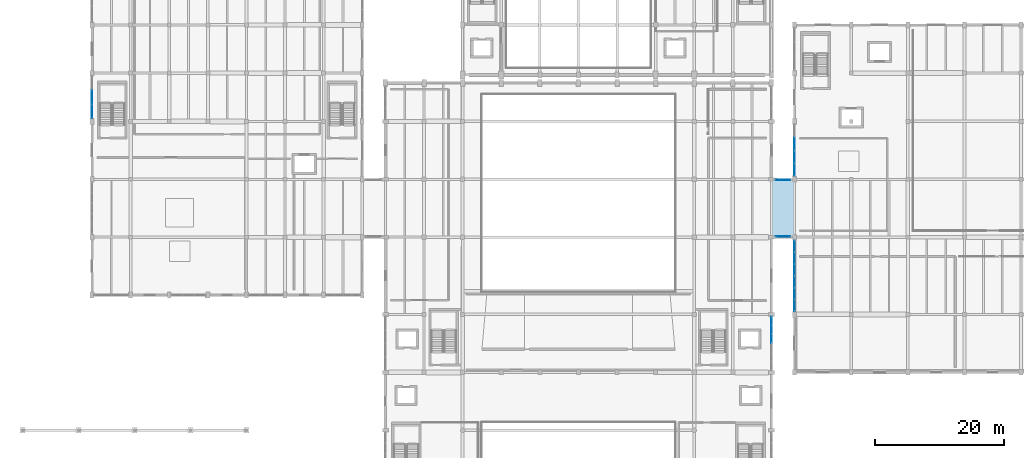
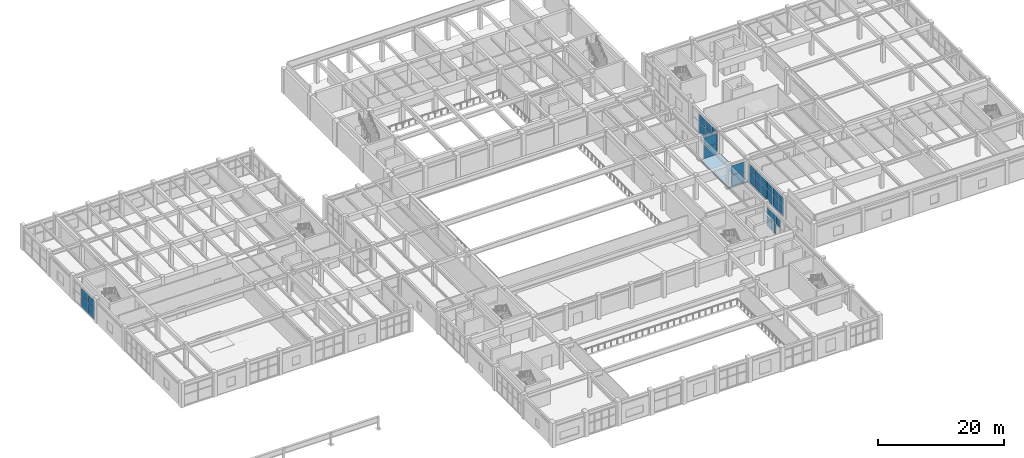
# One storey, part 56 of 85: 31 plates, 1 slab, 6 elements without a shape of their own.
"""IFC4 building model written with IfcOpenShell, lengths in metres."""

from ifc_helpers import new_model, si_unit, direction, frame, origin, origin_2d, place, context, subcontext, project, spatial, polyline, rectangle, outline, extrude, material, layer, layer_set, type_object, element, aggregate, save


model = new_model("IFC4")

# Units and contexts
model_context = context("Model", 3, precision=1e-05, world=origin(), true_north=direction((0.0, 1.0)))
body_context = subcontext(model_context, "Body", "Model", "MODEL_VIEW")
ifc_project = project(units=[si_unit("LENGTHUNIT", "METRE"), si_unit("AREAUNIT", "SQUARE_METRE"), si_unit("VOLUMEUNIT", "CUBIC_METRE"), si_unit("PLANEANGLEUNIT", "RADIAN"), si_unit("MASSUNIT", "GRAM", prefix="KILO")], contexts=[model_context])

# Site, building, storey
site_placement = place(None, origin())
site = spatial("IfcSite", under=ifc_project, at=site_placement, CompositionType="ELEMENT")
building_placement = place(site_placement, origin())
building = spatial("IfcBuilding", under=site, at=building_placement, Name="Vaelkrest Opera House", CompositionType="ELEMENT")
storey_placement = place(building_placement, frame((0.0, 0.0, 10.199951171875)))
storey = spatial("IfcBuildingStorey", under=building, at=storey_placement, Name="L02", CompositionType="ELEMENT", Elevation=10.199951171875)

# Curtain wall, plates
ifc_material_1 = material(Name="Dark bronze anodized aluminium", Category="aluminium")
ifc_layer_1 = layer(ifc_material_1, 0.179931640625)
ifc_layer_set_1 = layer_set([ifc_layer_1], Name="Dark bronze anodized aluminium")
curtain_wall_type_1 = type_object("IfcCurtainWallType", Name="CW01", PredefinedType="NOTDEFINED", material=ifc_layer_set_1)
curtain_wall_1_placement = place(storey_placement, origin())
curtain_wall_1 = element("IfcCurtainWall", 1, at=curtain_wall_1_placement, inside=storey, type_object=curtain_wall_type_1, Name="Curtain wall CW-L02-040", PredefinedType="NOTDEFINED")
ifc_material_2 = material(Name="Double low-E insulated glazing", Category="glass")
ifc_layer_2 = layer(ifc_material_2, 0.02587890625)
ifc_layer_set_2 = layer_set([ifc_layer_2], Name="Double low-E insulated glazing")
plate_type_1 = type_object("IfcPlateType", Name="CWP01", PredefinedType="CURTAIN_PANEL", material=ifc_layer_set_2)
plate_1_placement = place(storey_placement, frame((30.0, -20.814697265625, 0.06494140625), z_axis=(0.0, 0.0, 1.0), x_axis=(0.0, -1.0, 0.0)))
plate_1 = element("IfcPlate", 2, at=plate_1_placement, type_object=plate_type_1, Name="CW01 panel 1.1", PredefinedType="CURTAIN_PANEL", context=body_context, shape_type="SweptSolid", body=[
    extrude(rectangle(XDim=1.30322265625, YDim=0.02587890625, at=origin_2d()), origin(), (0.0, 0.0, 1.0), 2.052490234375),
])
plate_2_placement = place(storey_placement, frame((30.0, -20.814697265625, 2.1826171875), z_axis=(0.0, 0.0, 1.0), x_axis=(0.0, -1.0, 0.0)))
plate_2 = element("IfcPlate", 3, at=plate_2_placement, type_object=plate_type_1, Name="CW01 panel 1.2", PredefinedType="CURTAIN_PANEL", context=body_context, shape_type="SweptSolid", body=[
    extrude(rectangle(XDim=1.30322265625, YDim=0.02587890625, at=origin_2d()), origin(), (0.0, 0.0, 1.0), 1.58154296875),
])
plate_3_placement = place(storey_placement, frame((30.0, -22.198974609375, 0.06494140625), z_axis=(0.0, 0.0, 1.0), x_axis=(0.0, -1.0, 0.0)))
plate_3 = element("IfcPlate", 4, at=plate_3_placement, type_object=plate_type_1, Name="CW01 panel 2.1", PredefinedType="CURTAIN_PANEL", context=body_context, shape_type="SweptSolid", body=[
    extrude(rectangle(XDim=1.335693359375, YDim=0.02587890625, at=origin_2d()), origin(), (0.0, 0.0, 1.0), 2.052490234375),
])
plate_4_placement = place(storey_placement, frame((30.0, -22.198974609375, 2.1826171875), z_axis=(0.0, 0.0, 1.0), x_axis=(0.0, -1.0, 0.0)))
plate_4 = element("IfcPlate", 5, at=plate_4_placement, type_object=plate_type_1, Name="CW01 panel 2.2", PredefinedType="CURTAIN_PANEL", context=body_context, shape_type="SweptSolid", body=[
    extrude(rectangle(XDim=1.335693359375, YDim=0.02587890625, at=origin_2d()), origin(), (0.0, 0.0, 1.0), 1.58154296875),
])
plate_5_placement = place(storey_placement, frame((30.0, -23.599609375, 2.1826171875), z_axis=(0.0, 0.0, 1.0), x_axis=(0.0, -1.0, 0.0)))
plate_5 = element("IfcPlate", 6, at=plate_5_placement, type_object=plate_type_1, Name="CW01 panel 3.2", PredefinedType="CURTAIN_PANEL", context=body_context, shape_type="SweptSolid", body=[
    extrude(rectangle(XDim=1.335693359375, YDim=0.02587890625, at=origin_2d()), origin(), (0.0, 0.0, 1.0), 1.58154296875),
])
aggregate(curtain_wall_1, [plate_1, plate_2, plate_3, plate_4, plate_5])

ifc_layer_3 = layer(ifc_material_1, 0.2099609375)
ifc_layer_set_3 = layer_set([ifc_layer_3], Name="Dark bronze anodized aluminium")
curtain_wall_type_2 = type_object("IfcCurtainWallType", Name="CW04", PredefinedType="NOTDEFINED", material=ifc_layer_set_3)
curtain_wall_2_placement = place(storey_placement, origin())
curtain_wall_2 = element("IfcCurtainWall", 7, at=curtain_wall_2_placement, inside=storey, type_object=curtain_wall_type_2, Name="Curtain wall CW-L02-161", PredefinedType="NOTDEFINED")
ifc_layer_4 = layer(ifc_material_2, 0.0380859375)
ifc_layer_set_4 = layer_set([ifc_layer_4], Name="Double low-E insulated glazing")
plate_type_2 = type_object("IfcPlateType", Name="CWP04", PredefinedType="CURTAIN_PANEL", material=ifc_layer_set_4)
plate_6_placement = place(storey_placement, frame((33.60009765625, -18.40673828125, 0.080078125), z_axis=(0.0, 0.0, 1.0), x_axis=(0.0, 1.0, 0.0)))
plate_6 = element("IfcPlate", 8, at=plate_6_placement, type_object=plate_type_2, Name="CW04 panel 1.1", PredefinedType="CURTAIN_PANEL", context=body_context, shape_type="SweptSolid", body=[
    extrude(rectangle(XDim=1.730712890625, YDim=0.0380859375, at=origin_2d()), origin(), (0.0, 0.0, 1.0), 2.030029296875),
])
plate_7_placement = place(storey_placement, frame((33.60009765625, -18.40673828125, 2.18994140625), z_axis=(0.0, 0.0, 1.0), x_axis=(0.0, 1.0, 0.0)))
plate_7 = element("IfcPlate", 9, at=plate_7_placement, type_object=plate_type_2, Name="CW04 panel 1.2", PredefinedType="CURTAIN_PANEL", context=body_context, shape_type="SweptSolid", body=[
    extrude(rectangle(XDim=1.730712890625, YDim=0.0380859375, at=origin_2d()), origin(), (0.0, 0.0, 1.0), 1.47509765625),
])
plate_8_placement = place(storey_placement, frame((33.60009765625, -16.575927734375, 0.080078125), z_axis=(0.0, 0.0, 1.0), x_axis=(0.0, 1.0, 0.0)))
plate_8 = element("IfcPlate", 10, at=plate_8_placement, type_object=plate_type_2, Name="CW04 panel 2.1", PredefinedType="CURTAIN_PANEL", context=body_context, shape_type="SweptSolid", body=[
    extrude(rectangle(XDim=1.770751953125, YDim=0.0380859375, at=origin_2d()), origin(), (0.0, 0.0, 1.0), 2.030029296875),
])
plate_9_placement = place(storey_placement, frame((33.60009765625, -16.575927734375, 2.18994140625), z_axis=(0.0, 0.0, 1.0), x_axis=(0.0, 1.0, 0.0)))
plate_9 = element("IfcPlate", 11, at=plate_9_placement, type_object=plate_type_2, Name="CW04 panel 2.2", PredefinedType="CURTAIN_PANEL", context=body_context, shape_type="SweptSolid", body=[
    extrude(rectangle(XDim=1.770751953125, YDim=0.0380859375, at=origin_2d()), origin(), (0.0, 0.0, 1.0), 1.47509765625),
])
plate_10_placement = place(storey_placement, frame((33.60009765625, -14.725341796875, 0.080078125), z_axis=(0.0, 0.0, 1.0), x_axis=(0.0, 1.0, 0.0)))
plate_10 = element("IfcPlate", 12, at=plate_10_placement, type_object=plate_type_2, Name="CW04 panel 3.1", PredefinedType="CURTAIN_PANEL", context=body_context, shape_type="SweptSolid", body=[
    extrude(rectangle(XDim=1.770751953125, YDim=0.0380859375, at=origin_2d()), origin(), (0.0, 0.0, 1.0), 2.030029296875),
])
plate_11_placement = place(storey_placement, frame((33.60009765625, -14.725341796875, 2.18994140625), z_axis=(0.0, 0.0, 1.0), x_axis=(0.0, 1.0, 0.0)))
plate_11 = element("IfcPlate", 13, at=plate_11_placement, type_object=plate_type_2, Name="CW04 panel 3.2", PredefinedType="CURTAIN_PANEL", context=body_context, shape_type="SweptSolid", body=[
    extrude(rectangle(XDim=1.770751953125, YDim=0.0380859375, at=origin_2d()), origin(), (0.0, 0.0, 1.0), 1.47509765625),
])
plate_12_placement = place(storey_placement, frame((33.60009765625, -12.874755859375, 0.080078125), z_axis=(0.0, 0.0, 1.0), x_axis=(0.0, 1.0, 0.0)))
plate_12 = element("IfcPlate", 14, at=plate_12_placement, type_object=plate_type_2, Name="CW04 panel 4.1", PredefinedType="CURTAIN_PANEL", context=body_context, shape_type="SweptSolid", body=[
    extrude(rectangle(XDim=1.770751953125, YDim=0.0380859375, at=origin_2d()), origin(), (0.0, 0.0, 1.0), 2.030029296875),
])
plate_13_placement = place(storey_placement, frame((33.60009765625, -12.874755859375, 2.18994140625), z_axis=(0.0, 0.0, 1.0), x_axis=(0.0, 1.0, 0.0)))
plate_13 = element("IfcPlate", 15, at=plate_13_placement, type_object=plate_type_2, Name="CW04 panel 4.2", PredefinedType="CURTAIN_PANEL", context=body_context, shape_type="SweptSolid", body=[
    extrude(rectangle(XDim=1.770751953125, YDim=0.0380859375, at=origin_2d()), origin(), (0.0, 0.0, 1.0), 1.47509765625),
])
plate_14_placement = place(storey_placement, frame((33.60009765625, -11.02392578125, 0.080078125), z_axis=(0.0, 0.0, 1.0), x_axis=(0.0, 1.0, 0.0)))
plate_14 = element("IfcPlate", 16, at=plate_14_placement, type_object=plate_type_2, Name="CW04 panel 5.1", PredefinedType="CURTAIN_PANEL", context=body_context, shape_type="SweptSolid", body=[
    extrude(rectangle(XDim=1.770751953125, YDim=0.0380859375, at=origin_2d()), origin(), (0.0, 0.0, 1.0), 2.030029296875),
])
plate_15_placement = place(storey_placement, frame((33.60009765625, -11.02392578125, 2.18994140625), z_axis=(0.0, 0.0, 1.0), x_axis=(0.0, 1.0, 0.0)))
plate_15 = element("IfcPlate", 17, at=plate_15_placement, type_object=plate_type_2, Name="CW04 panel 5.2", PredefinedType="CURTAIN_PANEL", context=body_context, shape_type="SweptSolid", body=[
    extrude(rectangle(XDim=1.770751953125, YDim=0.0380859375, at=origin_2d()), origin(), (0.0, 0.0, 1.0), 1.47509765625),
])
plate_16_placement = place(storey_placement, frame((33.60009765625, -9.193359375, 0.080078125), z_axis=(0.0, 0.0, 1.0), x_axis=(0.0, 1.0, 0.0)))
plate_16 = element("IfcPlate", 18, at=plate_16_placement, type_object=plate_type_2, Name="CW04 panel 6.1", PredefinedType="CURTAIN_PANEL", context=body_context, shape_type="SweptSolid", body=[
    extrude(rectangle(XDim=1.730712890625, YDim=0.0380859375, at=origin_2d()), origin(), (0.0, 0.0, 1.0), 2.030029296875),
])
plate_17_placement = place(storey_placement, frame((33.60009765625, -9.193359375, 2.18994140625), z_axis=(0.0, 0.0, 1.0), x_axis=(0.0, 1.0, 0.0)))
plate_17 = element("IfcPlate", 19, at=plate_17_placement, type_object=plate_type_2, Name="CW04 panel 6.2", PredefinedType="CURTAIN_PANEL", context=body_context, shape_type="SweptSolid", body=[
    extrude(rectangle(XDim=1.730712890625, YDim=0.0380859375, at=origin_2d()), origin(), (0.0, 0.0, 1.0), 1.47509765625),
])
aggregate(curtain_wall_2, [plate_6, plate_7, plate_8, plate_9, plate_10, plate_11, plate_12, plate_13, plate_14, plate_15, plate_16, plate_17])

curtain_wall_3_placement = place(storey_placement, origin())
curtain_wall_3 = element("IfcCurtainWall", 20, at=curtain_wall_3_placement, inside=storey, type_object=curtain_wall_type_2, Name="Curtain wall CW-L02-182", PredefinedType="NOTDEFINED")
plate_18_placement = place(storey_placement, frame((31.800048828125, -7.699951171875, 0.080078125), z_axis=(0.0, 0.0, 1.0), x_axis=(-1.0, 0.0, 0.0)))
plate_18 = element("IfcPlate", 21, at=plate_18_placement, type_object=plate_type_2, Name="CW04 panel 1.1", PredefinedType="CURTAIN_PANEL", context=body_context, shape_type="SweptSolid", body=[
    extrude(rectangle(XDim=2.280029296875, YDim=0.0380859375, at=origin_2d()), origin(), (0.0, 0.0, 1.0), 2.030029296875),
])
plate_19_placement = place(storey_placement, frame((31.800048828125, -7.699951171875, 2.18994140625), z_axis=(0.0, 0.0, 1.0), x_axis=(-1.0, 0.0, 0.0)))
plate_19 = element("IfcPlate", 22, at=plate_19_placement, type_object=plate_type_2, Name="CW04 panel 1.2", PredefinedType="CURTAIN_PANEL", context=body_context, shape_type="SweptSolid", body=[
    extrude(rectangle(XDim=2.280029296875, YDim=0.0380859375, at=origin_2d()), origin(), (0.0, 0.0, 1.0), 1.81005859375),
])
aggregate(curtain_wall_3, [plate_18, plate_19])

ifc_layer_5 = layer(ifc_material_1, 0.219970703125)
ifc_layer_set_5 = layer_set([ifc_layer_5], Name="Dark bronze anodized aluminium")
curtain_wall_type_3 = type_object("IfcCurtainWallType", Name="CW05", PredefinedType="NOTDEFINED", material=ifc_layer_set_5)
curtain_wall_4_placement = place(storey_placement, origin())
curtain_wall_4 = element("IfcCurtainWall", 23, at=curtain_wall_4_placement, inside=storey, type_object=curtain_wall_type_3, Name="Curtain wall CW-L02-183", PredefinedType="NOTDEFINED")
ifc_layer_6 = layer(ifc_material_2, 0.0419921875)
ifc_layer_set_6 = layer_set([ifc_layer_6], Name="Double low-E insulated glazing")
plate_type_3 = type_object("IfcPlateType", Name="CWP05", PredefinedType="CURTAIN_PANEL", material=ifc_layer_set_6)
plate_20_placement = place(storey_placement, frame((31.800048828125, 1.10009765625, 0.074951171875), z_axis=(0.0, 0.0, 1.0), x_axis=(1.0, 0.0, 0.0)))
plate_20 = element("IfcPlate", 24, at=plate_20_placement, type_object=plate_type_3, Name="CW05 panel 1.1", PredefinedType="CURTAIN_PANEL", context=body_context, shape_type="SweptSolid", body=[
    extrude(rectangle(XDim=2.31005859375, YDim=0.0419921875, at=origin_2d()), origin(), (0.0, 0.0, 1.0), 2.03759765625),
])
plate_21_placement = place(storey_placement, frame((31.800048828125, 1.10009765625, 2.1875), z_axis=(0.0, 0.0, 1.0), x_axis=(1.0, 0.0, 0.0)))
plate_21 = element("IfcPlate", 25, at=plate_21_placement, type_object=plate_type_3, Name="CW05 panel 1.2", PredefinedType="CURTAIN_PANEL", context=body_context, shape_type="SweptSolid", body=[
    extrude(rectangle(XDim=2.31005859375, YDim=0.0419921875, at=origin_2d()), origin(), (0.0, 0.0, 1.0), 1.8173828125),
])
aggregate(curtain_wall_4, [plate_20, plate_21])

ifc_layer_7 = layer(ifc_material_1, 0.22998046875)
ifc_layer_set_7 = layer_set([ifc_layer_7], Name="Dark bronze anodized aluminium")
curtain_wall_type_4 = type_object("IfcCurtainWallType", Name="CW06", PredefinedType="NOTDEFINED", material=ifc_layer_set_7)
curtain_wall_5_placement = place(storey_placement, origin())
curtain_wall_5 = element("IfcCurtainWall", 26, at=curtain_wall_5_placement, inside=storey, type_object=curtain_wall_type_4, Name="Curtain wall CW-L02-117", PredefinedType="NOTDEFINED")
ifc_material_3 = material(Name="Dark bronze anodized aluminium spandrel", Category="aluminium")
ifc_layer_8 = layer(ifc_material_3, 0.0458984375)
ifc_layer_set_8 = layer_set([ifc_layer_8], Name="Dark bronze anodized aluminium spandrel")
plate_type_4 = type_object("IfcPlateType", Name="CWP06", PredefinedType="CURTAIN_PANEL", material=ifc_layer_set_8)
plate_22_placement = place(storey_placement, frame((-75.60009765625, 11.76611328125, 0.080078125), z_axis=(0.0, 0.0, 1.0), x_axis=(0.0, 1.0, 0.0)))
plate_22 = element("IfcPlate", 27, at=plate_22_placement, type_object=plate_type_4, Name="CW06 panel 1.1", PredefinedType="CURTAIN_PANEL", context=body_context, shape_type="SweptSolid", body=[
    extrude(rectangle(XDim=2.096435546875, YDim=0.0458984375, at=origin_2d()), origin(), (0.0, 0.0, 1.0), 2.030029296875),
])
plate_23_placement = place(storey_placement, frame((-75.60009765625, 11.76611328125, 2.18994140625), z_axis=(0.0, 0.0, 1.0), x_axis=(0.0, 1.0, 0.0)))
plate_23 = element("IfcPlate", 28, at=plate_23_placement, type_object=plate_type_4, Name="CW06 panel 1.2", PredefinedType="CURTAIN_PANEL", context=body_context, shape_type="SweptSolid", body=[
    extrude(rectangle(XDim=2.096435546875, YDim=0.0458984375, at=origin_2d()), origin(), (0.0, 0.0, 1.0), 1.4990234375),
])
plate_24_placement = place(storey_placement, frame((-75.60009765625, 13.949951171875, 0.080078125), z_axis=(0.0, 0.0, 1.0), x_axis=(0.0, 1.0, 0.0)))
plate_24 = element("IfcPlate", 29, at=plate_24_placement, type_object=plate_type_4, Name="CW06 panel 2.1", PredefinedType="CURTAIN_PANEL", context=body_context, shape_type="SweptSolid", body=[
    extrude(rectangle(XDim=2.13134765625, YDim=0.0458984375, at=origin_2d()), origin(), (0.0, 0.0, 1.0), 2.030029296875),
])
plate_25_placement = place(storey_placement, frame((-75.60009765625, 13.949951171875, 2.18994140625), z_axis=(0.0, 0.0, 1.0), x_axis=(0.0, 1.0, 0.0)))
plate_25 = element("IfcPlate", 30, at=plate_25_placement, type_object=plate_type_4, Name="CW06 panel 2.2", PredefinedType="CURTAIN_PANEL", context=body_context, shape_type="SweptSolid", body=[
    extrude(rectangle(XDim=2.13134765625, YDim=0.0458984375, at=origin_2d()), origin(), (0.0, 0.0, 1.0), 1.4990234375),
])
aggregate(curtain_wall_5, [plate_22, plate_23, plate_24, plate_25])

curtain_wall_6_placement = place(storey_placement, origin())
curtain_wall_6 = element("IfcCurtainWall", 31, at=curtain_wall_6_placement, inside=storey, type_object=curtain_wall_type_4, Name="Curtain wall CW-L02-162", PredefinedType="NOTDEFINED")
plate_26_placement = place(storey_placement, frame((33.60009765625, 2.678466796875, 0.080078125), z_axis=(0.0, 0.0, 1.0), x_axis=(0.0, 1.0, 0.0)))
plate_26 = element("IfcPlate", 32, at=plate_26_placement, type_object=plate_type_4, Name="CW06 panel 1.1", PredefinedType="CURTAIN_PANEL", context=body_context, shape_type="SweptSolid", body=[
    extrude(rectangle(XDim=1.9208984375, YDim=0.0458984375, at=origin_2d()), origin(), (0.0, 0.0, 1.0), 2.030029296875),
])
plate_27_placement = place(storey_placement, frame((33.60009765625, 2.678466796875, 2.18994140625), z_axis=(0.0, 0.0, 1.0), x_axis=(0.0, 1.0, 0.0)))
plate_27 = element("IfcPlate", 33, at=plate_27_placement, type_object=plate_type_4, Name="CW06 panel 1.2", PredefinedType="CURTAIN_PANEL", context=body_context, shape_type="SweptSolid", body=[
    extrude(rectangle(XDim=1.9208984375, YDim=0.0458984375, at=origin_2d()), origin(), (0.0, 0.0, 1.0), 1.55908203125),
])
plate_28_placement = place(storey_placement, frame((33.60009765625, 4.68701171875, 0.080078125), z_axis=(0.0, 0.0, 1.0), x_axis=(0.0, 1.0, 0.0)))
plate_28 = element("IfcPlate", 34, at=plate_28_placement, type_object=plate_type_4, Name="CW06 panel 2.1", PredefinedType="CURTAIN_PANEL", context=body_context, shape_type="SweptSolid", body=[
    extrude(rectangle(XDim=1.9560546875, YDim=0.0458984375, at=origin_2d()), origin(), (0.0, 0.0, 1.0), 2.030029296875),
])
plate_29_placement = place(storey_placement, frame((33.60009765625, 4.68701171875, 2.18994140625), z_axis=(0.0, 0.0, 1.0), x_axis=(0.0, 1.0, 0.0)))
plate_29 = element("IfcPlate", 35, at=plate_29_placement, type_object=plate_type_4, Name="CW06 panel 2.2", PredefinedType="CURTAIN_PANEL", context=body_context, shape_type="SweptSolid", body=[
    extrude(rectangle(XDim=1.9560546875, YDim=0.0458984375, at=origin_2d()), origin(), (0.0, 0.0, 1.0), 1.55908203125),
])
plate_30_placement = place(storey_placement, frame((33.60009765625, 6.712890625, 0.080078125), z_axis=(0.0, 0.0, 1.0), x_axis=(0.0, 1.0, 0.0)))
plate_30 = element("IfcPlate", 36, at=plate_30_placement, type_object=plate_type_4, Name="CW06 panel 3.1", PredefinedType="CURTAIN_PANEL", context=body_context, shape_type="SweptSolid", body=[
    extrude(rectangle(XDim=1.9560546875, YDim=0.0458984375, at=origin_2d()), origin(), (0.0, 0.0, 1.0), 2.030029296875),
])
plate_31_placement = place(storey_placement, frame((33.60009765625, 6.712890625, 2.18994140625), z_axis=(0.0, 0.0, 1.0), x_axis=(0.0, 1.0, 0.0)))
plate_31 = element("IfcPlate", 37, at=plate_31_placement, type_object=plate_type_4, Name="CW06 panel 3.2", PredefinedType="CURTAIN_PANEL", context=body_context, shape_type="SweptSolid", body=[
    extrude(rectangle(XDim=1.9560546875, YDim=0.0458984375, at=origin_2d()), origin(), (0.0, 0.0, 1.0), 1.55908203125),
])
aggregate(curtain_wall_6, [plate_26, plate_27, plate_28, plate_29, plate_30, plate_31])

# Slab
ifc_material_4 = material(Name="Concrete C40/50", Category="concrete")
ifc_layer_9 = layer(ifc_material_4, 0.22998046875)
ifc_layer_set_9 = layer_set([ifc_layer_9], Name="Concrete C40/50")
slab_type = type_object("IfcSlabType", Name="FS08", PredefinedType="FLOOR", material=ifc_layer_set_9)
slab_placement = place(storey_placement, frame((0.0, 0.0, -0.22998046875)))
element("IfcSlab", 38, at=slab_placement, inside=storey, type_object=slab_type, Name="Seismic link bridge floor BR-E-L02", PredefinedType="FLOOR", context=body_context, shape_type="SweptSolid", body=[
    extrude(outline(polyline([(30.050048828125, -7.800048828125), (33.60009765625, -7.800048828125), (33.60009765625, 1.199951171875), (30.050048828125, 1.199951171875), (30.050048828125, -7.800048828125)])), origin(), (0.0, 0.0, 1.0), 0.22998046875),
])

save(model, "model.ifc")
